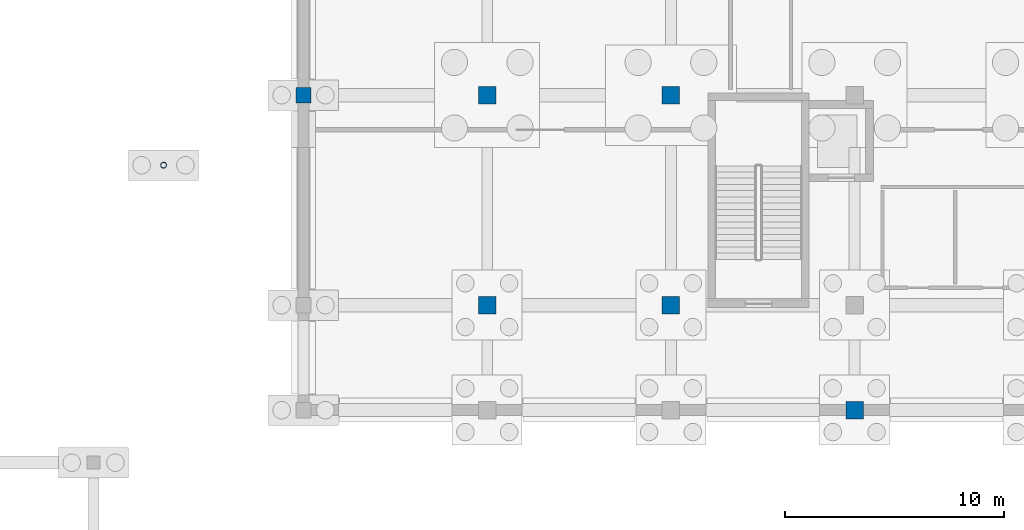
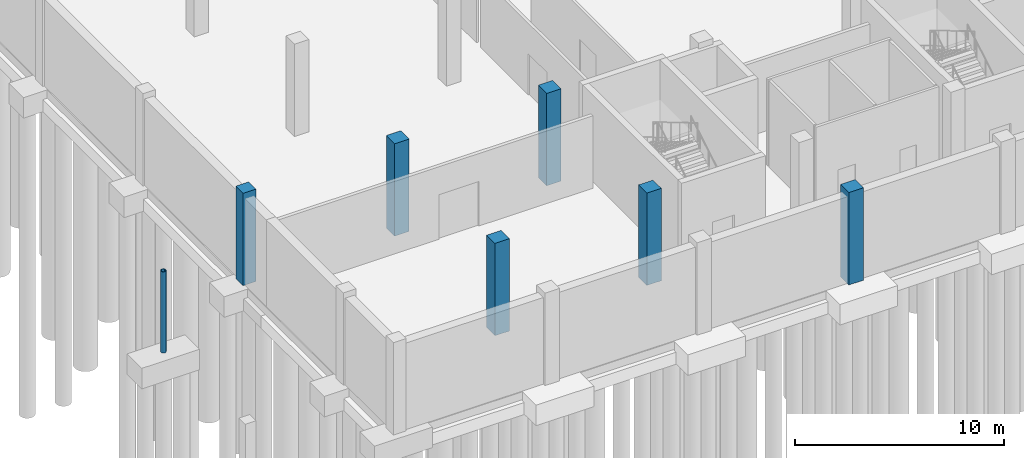
# One storey, part 18 of 41: 7 columns.
"""IFC4 building model written with IfcOpenShell, lengths in metres."""

import ifcopenshell
import ifcopenshell.guid

model = None  # the IFC model being written
_history = None  # IfcOwnerHistory: only IFC2X3 demands one
_inside = {}  # id of a spatial element -> (the spatial element, [elements in it])
_under = {}  # id of a project, library or spatial element -> (it, [spatial elements below it])
_declared = {}  # id of a project -> (the project, [libraries it declares])
_typed = {}  # id of a type object -> (the type object, [elements of that type])
_made_of = {}  # id of a material, layer set ... -> (it, [elements and type objects made of it])


def new_model(schema):
    """Start an empty IFC model of exactly this schema.

    Asked for "IFC4X3", IfcOpenShell would pick the latest addendum, in which some entities
    have other attributes; the version numbers below select the first issue.
    IFC2X3 requires an IfcOwnerHistory on every rooted entity: one is made here for all.
    """
    global model, _history
    if schema == "IFC4X3":
        model = ifcopenshell.file(schema_version=(4, 3, 0, 0))
    else:
        model = ifcopenshell.file(schema=schema)
    _inside.clear()
    _under.clear()
    _declared.clear()
    _typed.clear()
    _made_of.clear()
    _history = None
    if model.schema == "IFC2X3":
        org = make("IfcOrganization", Name="unknown")
        user = make(
            "IfcPersonAndOrganization",
            ThePerson=make("IfcPerson", FamilyName="unknown"),
            TheOrganization=org,
        )
        app = make(
            "IfcApplication",
            ApplicationDeveloper=org,
            Version="unknown",
            ApplicationFullName="unknown",
            ApplicationIdentifier="unknown",
        )
        _history = make(
            "IfcOwnerHistory",
            OwningUser=user,
            OwningApplication=app,
            ChangeAction="ADDED",
            CreationDate=0,
        )
    return model


def make(cls, **values):
    """One entity of the class cls with the attributes given. An attribute that is None is left unset."""
    return model.create_entity(
        cls, **{name: value for name, value in values.items() if value is not None}
    )


def rooted(cls, **values):
    """An entity with a GlobalId (a new one), such as an element, a storey or a relation."""
    return make(cls, GlobalId=ifcopenshell.guid.new(), OwnerHistory=_history, **values)


def si_unit(unit_type, name, prefix=None):
    """IfcSIUnit, for example si_unit("LENGTHUNIT", "METRE", prefix="MILLI")."""
    return make("IfcSIUnit", UnitType=unit_type, Prefix=prefix, Name=name)


def assignment(units):
    """IfcUnitAssignment: the units of a project."""
    return None if units is None else make("IfcUnitAssignment", Units=units)


def point(xyz):
    """IfcCartesianPoint."""
    return None if xyz is None else make("IfcCartesianPoint", Coordinates=xyz)


def direction(xyz):
    """IfcDirection."""
    return None if xyz is None else make("IfcDirection", DirectionRatios=xyz)


def frame(location, z_axis=None, x_axis=None):
    """IfcAxis2Placement3D, a coordinate frame: its origin and axes. An axis left out is left unset."""
    return make(
        "IfcAxis2Placement3D",
        Location=point(location),
        Axis=direction(z_axis),
        RefDirection=direction(x_axis),
    )


def frame_2d(location, x_axis=None):
    """IfcAxis2Placement2D, a coordinate frame in the plane: its origin and x axis."""
    return make(
        "IfcAxis2Placement2D", Location=point(location), RefDirection=direction(x_axis)
    )


def origin():
    """The frame at (0, 0, 0) with its axes left unset."""
    return frame((0.0, 0.0, 0.0))


def origin_2d():
    """The frame at (0, 0) in the plane with its x axis left unset."""
    return frame_2d((0.0, 0.0))


def place(relative_to, where):
    """IfcLocalPlacement: puts the frame where relative to a parent placement (None: the world)."""
    return make(
        "IfcLocalPlacement", PlacementRelTo=relative_to, RelativePlacement=where
    )


def context(
    kind, dimensions, precision=None, world=None, true_north=None, identifier=None
):
    """IfcGeometricRepresentationContext, for example the 3D "Model" context."""
    return make(
        "IfcGeometricRepresentationContext",
        ContextIdentifier=identifier,
        ContextType=kind,
        CoordinateSpaceDimension=dimensions,
        Precision=precision,
        WorldCoordinateSystem=world,
        TrueNorth=true_north,
    )


def subcontext(parent, identifier, kind, view, scale=None):
    """IfcGeometricRepresentationSubContext, for example "Body" below "Model"."""
    return make(
        "IfcGeometricRepresentationSubContext",
        ContextIdentifier=identifier,
        ContextType=kind,
        ParentContext=parent,
        TargetScale=scale,
        TargetView=view,
    )


def project(units=None, contexts=None):
    """IfcProject with its units and contexts."""
    return rooted(
        "IfcProject",
        Name="project",
        RepresentationContexts=contexts,
        UnitsInContext=assignment(units),
    )


def spatial(cls, under=None, at=None, **own):
    """A site, building, storey or space (cls), placed at a placement, below another one or the project."""
    s = rooted(cls, ObjectPlacement=at, **own)
    if under is not None:
        _under.setdefault(under.id(), (under, []))[1].append(s)
    return s


def profile(cls, at=None, kind="AREA", **sizes):
    """A parametric profile (cls). Its sizes go by their IFC names, for example OverallWidth=200.0."""
    return make(cls, ProfileType=kind, Position=at, **sizes)


def rectangle(**sizes):
    """IfcRectangleProfileDef."""
    return profile("IfcRectangleProfileDef", **sizes)


def hollow_circle(**sizes):
    """IfcCircleHollowProfileDef."""
    return profile("IfcCircleHollowProfileDef", **sizes)


def extrude(swept, where, along, depth):
    """IfcExtrudedAreaSolid: the profile swept, set in the frame where, extruded along a direction by depth."""
    return make(
        "IfcExtrudedAreaSolid",
        SweptArea=swept,
        Position=where,
        ExtrudedDirection=direction(along),
        Depth=depth,
    )


def shape(context_of_items, identifier, shape_type, items):
    """IfcShapeRepresentation: the items that make up one representation, for example the "Body"."""
    return make(
        "IfcShapeRepresentation",
        ContextOfItems=context_of_items,
        RepresentationIdentifier=identifier,
        RepresentationType=shape_type,
        Items=items,
    )


def material(Name=None, Category=None):
    """IfcMaterial."""
    return make("IfcMaterial", Name=Name, Category=Category)


def material_profile(
    of_material, cross_section, Name=None, Category=None, Priority=None
):
    """IfcMaterialProfile: a cross section and its material."""
    return make(
        "IfcMaterialProfile",
        Name=Name,
        Material=of_material,
        Profile=cross_section,
        Priority=Priority,
        Category=Category,
    )


def profile_set(profiles, Name=None, composite=None):
    """IfcMaterialProfileSet."""
    return make(
        "IfcMaterialProfileSet",
        Name=Name,
        MaterialProfiles=profiles,
        CompositeProfile=composite,
    )


def made_of(thing, what):
    """Note that an element or type object is made of a material, layer set ...; save() writes the relation."""
    if what is not None:
        _made_of.setdefault(what.id(), (what, []))[1].append(thing)
    return thing


def type_object(cls, material=None, **own):
    """A type object (cls), such as IfcWallType, which elements share."""
    return made_of(rooted(cls, **own), material)


def element(
    cls,
    number,
    at=None,
    inside=None,
    cuts=None,
    type_object=None,
    material=None,
    context=None,
    identifier="Body",
    shape_type=None,
    held_by="IfcProductDefinitionShape",
    body=None,
    shapes=None,
    **own,
):
    """One element of the class cls, such as IfcWall. Its Tag is "e" and its number.

    at: its placement. inside: the storey or other place that contains it. cuts: it is an
    opening in that element (IfcRelVoidsElement). A single representation is given by context,
    identifier, shape_type and body (its items); several are given by shapes. held_by: the class
    of the entity that holds the representations. save() writes the other relations.
    """
    e = rooted(cls, Tag="e%d" % number, ObjectPlacement=at, **own)
    if body is not None:
        shapes = [shape(context, identifier, shape_type, body)]
    if shapes is not None:
        e.Representation = make(held_by, Representations=shapes)
    if inside is not None:
        _inside.setdefault(inside.id(), (inside, []))[1].append(e)
    if cuts is not None:
        rooted(
            "IfcRelVoidsElement", RelatingBuildingElement=cuts, RelatedOpeningElement=e
        )
    if type_object is not None:
        _typed.setdefault(type_object.id(), (type_object, []))[1].append(e)
    return made_of(e, material)


def aggregate(whole, parts):
    """IfcRelAggregates: a whole, such as a stair, and the parts it consists of."""
    return rooted("IfcRelAggregates", RelatingObject=whole, RelatedObjects=parts)


def save(model, path):
    """Write the relations noted so far, then the file.

    IfcRelAggregates (storeys below a building ...), IfcRelContainedInSpatialStructure (elements
    in a storey), IfcRelDefinesByType, IfcRelAssociatesMaterial and IfcRelDeclares: one each for
    every whole, place, type object, material and project.
    """
    for whole, parts in _under.values():
        aggregate(whole, parts)
    for where, things in _inside.values():
        rooted(
            "IfcRelContainedInSpatialStructure",
            RelatedElements=things,
            RelatingStructure=where,
        )
    for kind, things in _typed.values():
        rooted("IfcRelDefinesByType", RelatedObjects=things, RelatingType=kind)
    for what, things in _made_of.values():
        rooted("IfcRelAssociatesMaterial", RelatedObjects=things, RelatingMaterial=what)
    for by, libraries in _declared.values():
        rooted("IfcRelDeclares", RelatingContext=by, RelatedDefinitions=libraries)
    model.write(path)


model = new_model("IFC4")

# Units and contexts
model_context = context("Model", 3, precision=1e-05, world=origin(), true_north=direction((0.0, 1.0)))
body_context = subcontext(model_context, "Body", "Model", "MODEL_VIEW")
ifc_project = project(units=[si_unit("LENGTHUNIT", "METRE"), si_unit("AREAUNIT", "SQUARE_METRE"), si_unit("VOLUMEUNIT", "CUBIC_METRE"), si_unit("PLANEANGLEUNIT", "RADIAN"), si_unit("MASSUNIT", "GRAM", prefix="KILO")], contexts=[model_context])

# Site, building, storey
site_placement = place(None, origin())
site = spatial("IfcSite", under=ifc_project, at=site_placement, CompositionType="ELEMENT")
building_placement = place(site_placement, origin())
building = spatial("IfcBuilding", under=site, at=building_placement, Name="Shalvenor Court Art Gallery", CompositionType="ELEMENT")
storey_placement = place(building_placement, frame((0.0, 0.0, -5.39990234375)))
storey = spatial("IfcBuildingStorey", under=building, at=storey_placement, Name="B01", CompositionType="ELEMENT", Elevation=-5.39990234375)

# Columns
ifc_material_1 = material(Name="Concrete C40/50", Category="concrete")
ifc_material_profile_1 = material_profile(ifc_material_1, rectangle(XDim=0.800048828125, YDim=0.800048828125, at=origin_2d()), Name="RC 800x800")
ifc_profile_set_1 = profile_set([ifc_material_profile_1], Name="Concrete C40/50")
column_type_1 = type_object("IfcColumnType", Name="C-01", PredefinedType="COLUMN", material=ifc_profile_set_1)
for number, where, z_axis, x_axis, name in (
    (1, (142.800048828125, 50.39990234375, 0.0), (0.0, 0.0, 1.0), (1.0, 0.0, 0.0), "B01 Column COL-B01-C-01-0557"),
    (2, (142.800048828125, 60.0, 0.0), (0.0, 0.0, 1.0), (1.0, 0.0, 0.0), "B01 Column COL-B01-C-01-0563"),
    (3, (151.199951171875, 50.39990234375, 0.0), (0.0, 0.0, 1.0), (1.0, 0.0, 0.0), "B01 Column COL-B01-C-01-0599"),
    (4, (151.199951171875, 60.0, 0.0), (0.0, 0.0, 1.0), (1.0, 0.0, 0.0), "B01 Column COL-B01-C-01-0605"),
    (5, (159.60009765625, 45.60009765625, 0.0), (0.0, 0.0, 1.0), (1.0, 0.0, 0.0), "B01 Column COL-B01-C-01-0635"),
):
    element("IfcColumn", number, at=place(storey_placement, frame(where, z_axis=z_axis, x_axis=x_axis)), inside=storey, type_object=column_type_1, Name=name, PredefinedType="COLUMN", context=body_context, shape_type="SweptSolid", body=[
        extrude(rectangle(XDim=0.800048828125, YDim=0.800048828125, at=origin_2d()), origin(), (0.0, 0.0, 1.0), 5.39990234375),
    ])
ifc_material_2 = material(Name="Concrete C40/50", Category="concrete")
ifc_material_profile_2 = material_profile(ifc_material_2, rectangle(XDim=0.699951171875, YDim=0.699951171875, at=origin_2d()), Name="RC 700x700")
ifc_profile_set_2 = profile_set([ifc_material_profile_2], Name="Concrete C40/50")
column_type_2 = type_object("IfcColumnType", Name="C-02E", PredefinedType="COLUMN", material=ifc_profile_set_2)
column_1_placement = place(storey_placement, frame((134.39990234375, 60.0, 0.0), z_axis=(0.0, 0.0, 1.0), x_axis=(1.0, 0.0, 0.0)))
element("IfcColumn", 6, at=column_1_placement, inside=storey, type_object=column_type_2, Name="B01 Column COL-B01-C-02E-0541", PredefinedType="COLUMN", context=body_context, shape_type="SweptSolid", body=[
    extrude(rectangle(XDim=0.699951171875, YDim=0.699951171875, at=origin_2d()), origin(), (0.0, 0.0, 1.0), 5.39990234375),
])
ifc_material_3 = material(Name="Steel S355", Category="steel")
ifc_material_profile_3 = material_profile(ifc_material_3, hollow_circle(Radius=0.136474609375, WallThickness=0.012451171875, at=origin_2d()), Name="CHS 273.0x12.5")
ifc_profile_set_3 = profile_set([ifc_material_profile_3], Name="Steel S355")
column_type_3 = type_object("IfcColumnType", Name="C-11", PredefinedType="COLUMN", material=ifc_profile_set_3)
column_2_placement = place(storey_placement, frame((128.0, 56.800048828125, 0.0), z_axis=(0.0, 0.0, 1.0), x_axis=(1.0, 0.0, 0.0)))
element("IfcColumn", 7, at=column_2_placement, inside=storey, type_object=column_type_3, Name="B01 Terrace Stair Support Column COL-TST-B01-C-11-0789", PredefinedType="COLUMN", context=body_context, shape_type="SweptSolid", body=[
    extrude(hollow_circle(Radius=0.136474609375, WallThickness=0.012451171875, at=origin_2d()), origin(), (0.0, 0.0, 1.0), 4.75),
])

save(model, "model.ifc")
